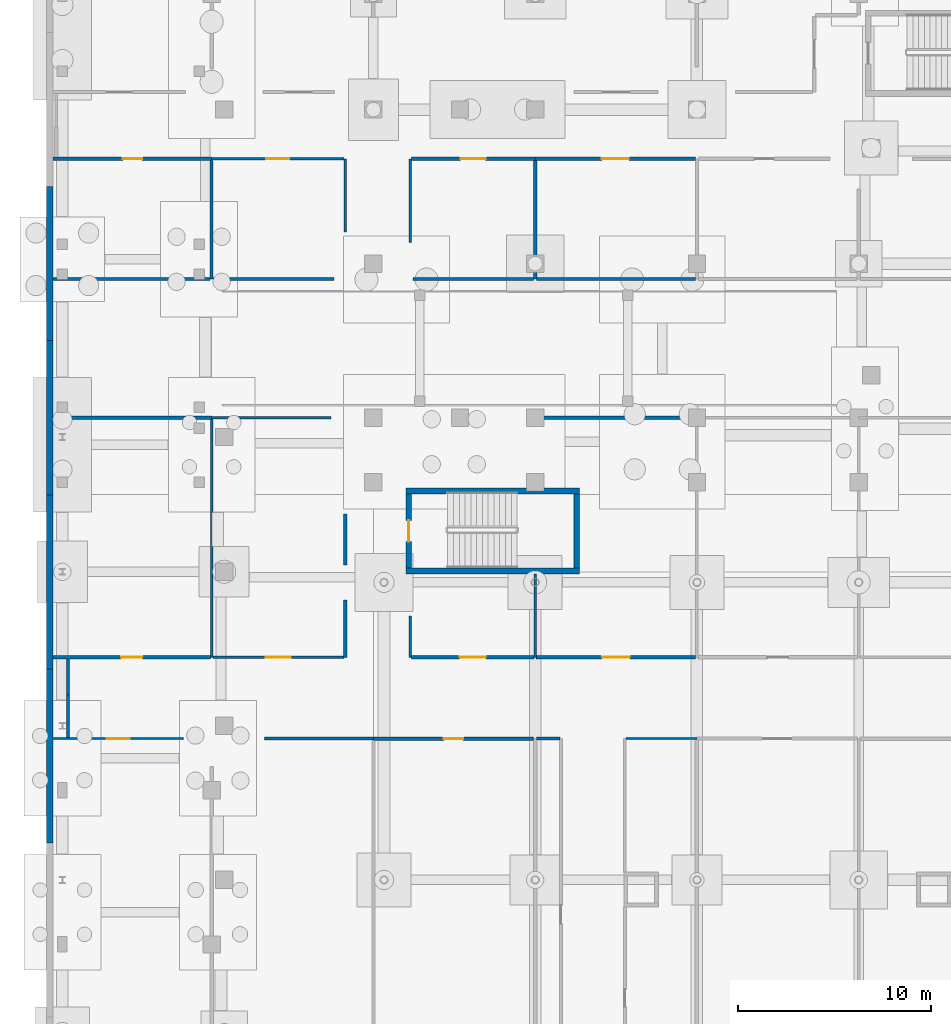
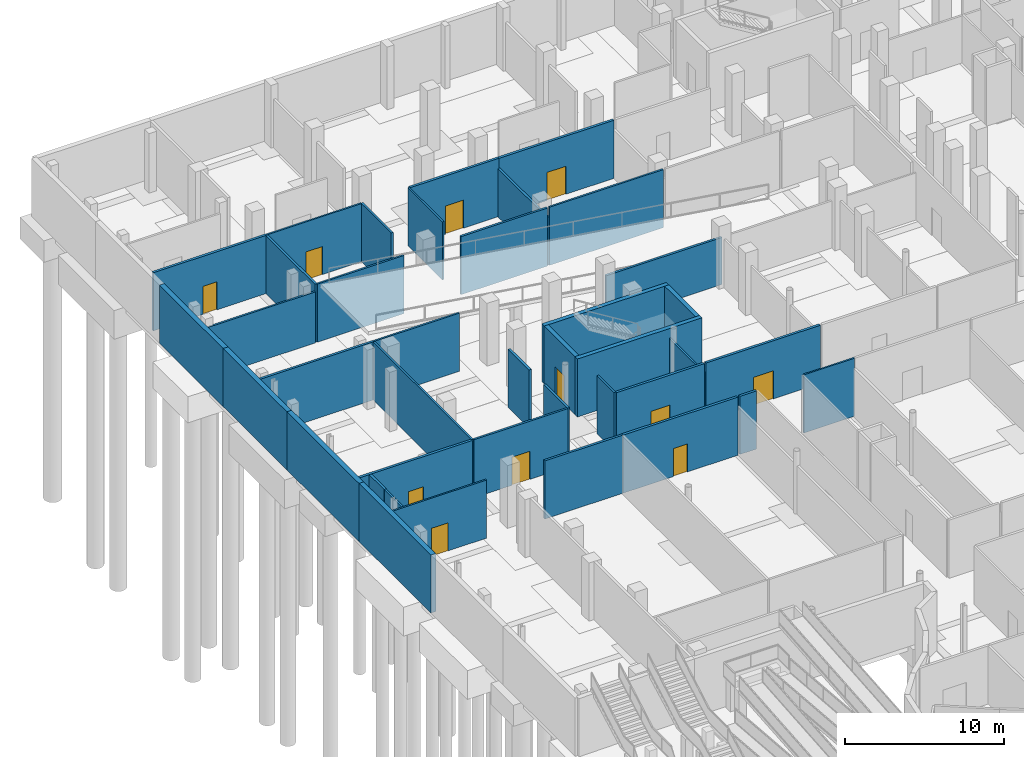
# One storey, part 30 of 45: 39 walls, 11 doors, 11 openings.
"""IFC4 building model written with IfcOpenShell, lengths in metres."""

from ifc_helpers import new_model, si_unit, direction, frame, frame_2d, origin, place, context, subcontext, project, spatial, rectangle, extrude, material, layer, layer_set, type_object, element, fill, save


model = new_model("IFC4")

# Units and contexts
model_context = context("Model", 3, precision=1e-05, world=origin(), true_north=direction((0.0, 1.0)))
body_context = subcontext(model_context, "Body", "Model", "MODEL_VIEW")
ifc_project = project(units=[si_unit("LENGTHUNIT", "METRE"), si_unit("AREAUNIT", "SQUARE_METRE"), si_unit("VOLUMEUNIT", "CUBIC_METRE"), si_unit("PLANEANGLEUNIT", "RADIAN"), si_unit("MASSUNIT", "GRAM", prefix="KILO")], contexts=[model_context])

# Site, building, storey
site_placement = place(None, origin())
site = spatial("IfcSite", under=ifc_project, at=site_placement, CompositionType="ELEMENT")
building_placement = place(site_placement, origin())
building = spatial("IfcBuilding", under=site, at=building_placement, Name="Selatvlak General Hospital", CompositionType="ELEMENT")
storey_placement = place(building_placement, frame((0.0, 0.0, -4.800048828125)))
storey = spatial("IfcBuildingStorey", under=building, at=storey_placement, Name="B1", CompositionType="ELEMENT", Elevation=-4.800048828125)

# Walls
ifc_material_1 = material(Name="Concrete C45/55", Category="concrete")
ifc_layer_1 = layer(ifc_material_1, 0.35009765625, Name="Concrete C45/55", Category="concrete")
ifc_layer_set_1 = layer_set([ifc_layer_1], Name="Concrete C45/55")
wall_type_1 = type_object("IfcWallType", Name="WALL-EW-05", PredefinedType="SHEAR", material=ifc_layer_set_1)
wall_1_placement = place(storey_placement, frame((6.0, 69.924072265625, 0.0), z_axis=(0.0, 0.0, 1.0), x_axis=(0.0, 1.0, 0.0)))
element("IfcWall", 1, at=wall_1_placement, inside=storey, type_object=wall_type_1, Name="B1 retaining wall 0003", PredefinedType="SHEAR", context=body_context, shape_type="SweptSolid", body=[
    extrude(rectangle(XDim=9.037841796875, YDim=0.35009765625, at=frame_2d((4.51904296875, 0.0))), origin(), (0.0, 0.0, 1.0), 4.449951171875),
])
wall_2_placement = place(storey_placement, frame((6.0, 78.9619140625, 0.0), z_axis=(0.0, 0.0, 1.0), x_axis=(0.0, 1.0, 0.0)))
element("IfcWall", 2, at=wall_2_placement, inside=storey, type_object=wall_type_1, Name="B1 retaining wall 0004", PredefinedType="SHEAR", context=body_context, shape_type="SweptSolid", body=[
    extrude(rectangle(XDim=9.037109375, YDim=0.35009765625, at=frame_2d((4.5185546875, 0.0))), origin(), (0.0, 0.0, 1.0), 4.449951171875),
])
for number, where, z_axis, x_axis, name in (
    (3, (6.0, 87.9990234375, 0.0), (0.0, 0.0, 1.0), (0.0, 1.0, 0.0), "B1 retaining wall 0005"),
    (4, (6.0, 95.9990234375, 0.0), (0.0, 0.0, 1.0), (0.0, 1.0, 0.0), "B1 retaining wall 0006"),
):
    element("IfcWall", number, at=place(storey_placement, frame(where, z_axis=z_axis, x_axis=x_axis)), inside=storey, type_object=wall_type_1, Name=name, PredefinedType="SHEAR", context=body_context, shape_type="SweptSolid", body=[
        extrude(rectangle(XDim=8.0, YDim=0.35009765625, at=frame_2d((4.0, 0.0))), origin(), (0.0, 0.0, 1.0), 4.449951171875),
    ])

# Wall, opening, door
ifc_material_2 = material(Name="Acoustic gypsum stud partition")
ifc_layer_2 = layer(ifc_material_2, 0.179931640625, Name="Acoustic gypsum stud partition")
ifc_layer_set_2 = layer_set([ifc_layer_2], Name="Acoustic gypsum stud partition")
wall_type_2 = type_object("IfcWallType", Name="WALL-PT-01", PredefinedType="PARTITIONING", material=ifc_layer_set_2)
wall_3_placement = place(storey_placement, frame((22.800048828125, 75.340087890625, 0.0), z_axis=(0.0, 0.0, 1.0), x_axis=(1.0, 0.0, 0.0)))
wall_3 = element("IfcWall", 5, at=wall_3_placement, inside=storey, type_object=wall_type_2, Name="B1 clinical partition PT-B1-0039", PredefinedType="PARTITIONING", context=body_context, shape_type="SweptSolid", body=[
    extrude(rectangle(XDim=8.322021484375, YDim=0.179931640625, at=frame_2d((4.1611328125, 0.0))), origin(), (0.0, 0.0, 1.0), 4.449951171875),
])
opening_1_placement = place(wall_3_placement, frame((3.660888671875, 0.0, 0.0)))
opening_1 = element("IfcOpeningElement", 6, at=opening_1_placement, cuts=wall_3, Name="Opening D-21", PredefinedType="OPENING", context=body_context, shape_type="SweptSolid", body=[
    extrude(rectangle(XDim=1.0, YDim=2.14990234375, at=frame_2d((0.5, 1.074951171875))), frame((0.0, 0.099853515625, 0.0), z_axis=(0.0, -1.0, 0.0), x_axis=(1.0, 0.0, 0.0)), (0.0, 0.0, 1.0), 0.199951171875),
])
ifc_material_3 = material(Name="Laboratory fire door")
door_type_1 = type_object("IfcDoorType", Name="DOOR-D-21", OperationType="NOTDEFINED", PredefinedType="DOOR", material=ifc_material_3)
door_1_placement = place(opening_1_placement, origin())
door_1 = element("IfcDoor", 7, at=door_1_placement, inside=storey, type_object=door_type_1, Name="B1 Central Chiller Plant 04 door", OperationType="SINGLE_SWING_RIGHT", OverallHeight=2.14990234375, OverallWidth=1.0, PredefinedType="DOOR", context=body_context, shape_type="SweptSolid", body=[
    extrude(rectangle(XDim=1.0, YDim=2.14990234375, at=frame_2d((0.5, 1.074951171875))), frame((0.0, 0.02490234375, 0.0), z_axis=(0.0, -1.0, 0.0), x_axis=(1.0, 0.0, 0.0)), (0.0, 0.0, 1.0), 0.050048828125),
])
fill(opening_1, door_1)

wall_4_placement = place(storey_placement, frame((6.172119140625, 105.43994140625, 0.0), z_axis=(0.0, 0.0, 1.0), x_axis=(1.0, 0.0, 0.0)))
wall_4 = element("IfcWall", 8, at=wall_4_placement, inside=storey, type_object=wall_type_2, Name="B1 clinical partition PT-B1-0219", PredefinedType="PARTITIONING", context=body_context, shape_type="SweptSolid", body=[
    extrude(rectangle(XDim=8.227783203125, YDim=0.179931640625, at=frame_2d((4.11376953125, 0.0))), origin(), (0.0, 0.0, 1.0), 4.449951171875),
])
opening_2_placement = place(wall_4_placement, frame((3.614013671875, 0.0, 0.0)))
opening_2 = element("IfcOpeningElement", 9, at=opening_2_placement, cuts=wall_4, Name="Opening D-21", PredefinedType="OPENING", context=body_context, shape_type="SweptSolid", body=[
    extrude(rectangle(XDim=1.0, YDim=2.14990234375, at=frame_2d((0.5, 1.074951171875))), frame((0.0, 0.099853515625, 0.0), z_axis=(0.0, -1.0, 0.0), x_axis=(1.0, 0.0, 0.0)), (0.0, 0.0, 1.0), 0.199951171875),
])
door_2_placement = place(opening_2_placement, origin())
door_2 = element("IfcDoor", 10, at=door_2_placement, inside=storey, type_object=door_type_1, Name="B1 Standby Generator Plant 45 door", OperationType="SINGLE_SWING_RIGHT", OverallHeight=2.14990234375, OverallWidth=1.0, PredefinedType="DOOR", context=body_context, shape_type="SweptSolid", body=[
    extrude(rectangle(XDim=1.0, YDim=2.14990234375, at=frame_2d((0.5, 1.074951171875))), frame((0.0, 0.02490234375, 0.0), z_axis=(0.0, -1.0, 0.0), x_axis=(1.0, 0.0, 0.0)), (0.0, 0.0, 1.0), 0.050048828125),
])
fill(opening_2, door_2)

wall_5_placement = place(storey_placement, frame((14.3369140625, 79.56005859375, 0.0), z_axis=(0.0, 0.0, 1.0), x_axis=(-1.0, 0.0, 0.0)))
wall_5 = element("IfcWall", 11, at=wall_5_placement, inside=storey, type_object=wall_type_2, Name="B1 clinical partition PT-B1-0225", PredefinedType="PARTITIONING", context=body_context, shape_type="SweptSolid", body=[
    extrude(rectangle(XDim=8.164794921875, YDim=0.179931640625, at=frame_2d((4.08251953125, 0.0))), origin(), (0.0, 0.0, 1.0), 4.449951171875),
])
opening_3_placement = place(wall_5_placement, frame((3.531982421875, 0.0, 0.0)))
opening_3 = element("IfcOpeningElement", 12, at=opening_3_placement, cuts=wall_5, Name="Opening D-22", PredefinedType="OPENING", context=body_context, shape_type="SweptSolid", body=[
    extrude(rectangle(XDim=1.10009765625, YDim=2.14990234375, at=frame_2d((0.550048828125, 1.074951171875))), frame((0.0, 0.099853515625, 0.0), z_axis=(0.0, -1.0, 0.0), x_axis=(1.0, 0.0, 0.0)), (0.0, 0.0, 1.0), 0.199951171875),
])
ifc_material_4 = material(Name="Pharmacy security fire door")
door_type_2 = type_object("IfcDoorType", Name="DOOR-D-22", OperationType="NOTDEFINED", PredefinedType="DOOR", material=ifc_material_4)
door_3_placement = place(opening_3_placement, origin())
door_3 = element("IfcDoor", 13, at=door_3_placement, inside=storey, type_object=door_type_2, Name="B1 Medical Gas Manifold Plant 46 door", OperationType="SINGLE_SWING_LEFT", OverallHeight=2.14990234375, OverallWidth=1.10009765625, PredefinedType="DOOR", context=body_context, shape_type="SweptSolid", body=[
    extrude(rectangle(XDim=1.10009765625, YDim=2.14990234375, at=frame_2d((0.550048828125, 1.074951171875))), frame((0.0, 0.02490234375, 0.0), z_axis=(0.0, -1.0, 0.0), x_axis=(1.0, 0.0, 0.0)), (0.0, 0.0, 1.0), 0.050048828125),
])
fill(opening_3, door_3)

# Wall
wall_6_placement = place(storey_placement, frame((21.340087890625, 86.993896484375, 0.0), z_axis=(0.0, 0.0, 1.0), x_axis=(0.0, -1.0, 0.0)))
element("IfcWall", 14, at=wall_6_placement, inside=storey, type_object=wall_type_2, Name="B1 clinical partition PT-B1-0230", PredefinedType="PARTITIONING", context=body_context, shape_type="SweptSolid", body=[
    extrude(rectangle(XDim=2.630859375, YDim=0.179931640625, at=frame_2d((1.3154296875, 0.0))), origin(), (0.0, 0.0, 1.0), 4.449951171875),
])

# Wall, opening, door
wall_7_placement = place(storey_placement, frame((24.76611328125, 105.43994140625, 0.0), z_axis=(0.0, 0.0, 1.0), x_axis=(1.0, 0.0, 0.0)))
wall_7 = element("IfcWall", 15, at=wall_7_placement, inside=storey, type_object=wall_type_2, Name="B1 clinical partition PT-B1-0235", PredefinedType="PARTITIONING", context=body_context, shape_type="SweptSolid", body=[
    extrude(rectangle(XDim=6.433837890625, YDim=0.179931640625, at=frame_2d((3.216796875, 0.0))), origin(), (0.0, 0.0, 1.0), 4.449951171875),
])
opening_4_placement = place(wall_7_placement, frame((2.56689453125, 0.0, 0.0)))
opening_4 = element("IfcOpeningElement", 16, at=opening_4_placement, cuts=wall_7, Name="Opening D-09", PredefinedType="OPENING", context=body_context, shape_type="SweptSolid", body=[
    extrude(rectangle(XDim=1.300048828125, YDim=2.14990234375, at=frame_2d((0.64990234375, 1.074951171875))), frame((0.0, 0.099853515625, 0.0), z_axis=(0.0, -1.0, 0.0), x_axis=(1.0, 0.0, 0.0)), (0.0, 0.0, 1.0), 0.199951171875),
])
ifc_material_5 = material(Name="Outpatient procedure door")
door_type_3 = type_object("IfcDoorType", Name="DOOR-D-09", OperationType="NOTDEFINED", PredefinedType="DOOR", material=ifc_material_5)
door_4_placement = place(opening_4_placement, origin())
door_4 = element("IfcDoor", 17, at=door_4_placement, inside=storey, type_object=door_type_3, Name="B1 Central Sterile Supply Department 49 door", OperationType="SINGLE_SWING_RIGHT", OverallHeight=2.14990234375, OverallWidth=1.300048828125, PredefinedType="DOOR", context=body_context, shape_type="SweptSolid", body=[
    extrude(rectangle(XDim=1.300048828125, YDim=2.14990234375, at=frame_2d((0.64990234375, 1.074951171875))), frame((0.0, 0.02490234375, 0.0), z_axis=(0.0, -1.0, 0.0), x_axis=(1.0, 0.0, 0.0)), (0.0, 0.0, 1.0), 0.050048828125),
])
fill(opening_4, door_4)

wall_8_placement = place(storey_placement, frame((31.14404296875, 79.56005859375, 0.0), z_axis=(0.0, 0.0, 1.0), x_axis=(-1.0, 0.0, 0.0)))
wall_8 = element("IfcWall", 18, at=wall_8_placement, inside=storey, type_object=wall_type_2, Name="B1 clinical partition PT-B1-0240", PredefinedType="PARTITIONING", context=body_context, shape_type="SweptSolid", body=[
    extrude(rectangle(XDim=6.3701171875, YDim=0.179931640625, at=frame_2d((3.18505859375, 0.0))), origin(), (0.0, 0.0, 1.0), 4.449951171875),
])
opening_5_placement = place(wall_8_placement, frame((2.510009765625, 0.0, 0.0)))
opening_5 = element("IfcOpeningElement", 19, at=opening_5_placement, cuts=wall_8, Name="Opening D-10", PredefinedType="OPENING", context=body_context, shape_type="SweptSolid", body=[
    extrude(rectangle(XDim=1.35009765625, YDim=2.14990234375, at=frame_2d((0.675048828125, 1.074951171875))), frame((0.0, 0.099853515625, 0.0), z_axis=(0.0, -1.0, 0.0), x_axis=(1.0, 0.0, 0.0)), (0.0, 0.0, 1.0), 0.199951171875),
])
ifc_material_6 = material(Name="Single patient bed door")
door_type_4 = type_object("IfcDoorType", Name="DOOR-D-10", OperationType="NOTDEFINED", PredefinedType="DOOR", material=ifc_material_6)
door_5_placement = place(opening_5_placement, origin())
door_5 = element("IfcDoor", 20, at=door_5_placement, inside=storey, type_object=door_type_4, Name="B1 Hospital Dietary Kitchen 50 door", OperationType="SINGLE_SWING_LEFT", OverallHeight=2.14990234375, OverallWidth=1.35009765625, PredefinedType="DOOR", context=body_context, shape_type="SweptSolid", body=[
    extrude(rectangle(XDim=1.35009765625, YDim=2.14990234375, at=frame_2d((0.675048828125, 1.074951171875))), frame((0.0, 0.02490234375, 0.0), z_axis=(0.0, -1.0, 0.0), x_axis=(1.0, 0.0, 0.0)), (0.0, 0.0, 1.0), 0.050048828125),
])
fill(opening_5, door_5)

wall_9_placement = place(storey_placement, frame((31.199951171875, 105.43994140625, 0.0), z_axis=(0.0, 0.0, 1.0), x_axis=(1.0, 0.0, 0.0)))
wall_9 = element("IfcWall", 21, at=wall_9_placement, inside=storey, type_object=wall_type_2, Name="B1 clinical partition PT-B1-0246", PredefinedType="PARTITIONING", context=body_context, shape_type="SweptSolid", body=[
    extrude(rectangle(XDim=8.322021484375, YDim=0.179931640625, at=frame_2d((4.1611328125, 0.0))), origin(), (0.0, 0.0, 1.0), 4.449951171875),
])
opening_6_placement = place(wall_9_placement, frame((3.4609375, 0.0, 0.0)))
opening_6 = element("IfcOpeningElement", 22, at=opening_6_placement, cuts=wall_9, Name="Opening D-11", PredefinedType="OPENING", context=body_context, shape_type="SweptSolid", body=[
    extrude(rectangle(XDim=1.39990234375, YDim=2.14990234375, at=frame_2d((0.699951171875, 1.074951171875))), frame((0.0, 0.099853515625, 0.0), z_axis=(0.0, -1.0, 0.0), x_axis=(1.0, 0.0, 0.0)), (0.0, 0.0, 1.0), 0.199951171875),
])
ifc_material_7 = material(Name="Inpatient suite bed door")
door_type_5 = type_object("IfcDoorType", Name="DOOR-D-11", OperationType="NOTDEFINED", PredefinedType="DOOR", material=ifc_material_7)
door_6_placement = place(opening_6_placement, origin())
door_6 = element("IfcDoor", 23, at=door_6_placement, inside=storey, type_object=door_type_5, Name="B1 Central Chiller Plant 52 door", OperationType="SINGLE_SWING_RIGHT", OverallHeight=2.14990234375, OverallWidth=1.39990234375, PredefinedType="DOOR", context=body_context, shape_type="SweptSolid", body=[
    extrude(rectangle(XDim=1.39990234375, YDim=2.14990234375, at=frame_2d((0.699951171875, 1.074951171875))), frame((0.0, 0.02490234375, 0.0), z_axis=(0.0, -1.0, 0.0), x_axis=(1.0, 0.0, 0.0)), (0.0, 0.0, 1.0), 0.050048828125),
])
fill(opening_6, door_6)

wall_10_placement = place(storey_placement, frame((39.537109375, 79.56005859375, 0.0), z_axis=(0.0, 0.0, 1.0), x_axis=(-1.0, 0.0, 0.0)))
wall_10 = element("IfcWall", 24, at=wall_10_placement, inside=storey, type_object=wall_type_2, Name="B1 clinical partition PT-B1-0249", PredefinedType="PARTITIONING", context=body_context, shape_type="SweptSolid", body=[
    extrude(rectangle(XDim=8.281005859375, YDim=0.179931640625, at=frame_2d((4.140625, 0.0))), origin(), (0.0, 0.0, 1.0), 4.449951171875),
])
opening_7_placement = place(wall_10_placement, frame((3.4150390625, 0.0, 0.0)))
opening_7 = element("IfcOpeningElement", 25, at=opening_7_placement, cuts=wall_10, Name="Opening D-12", PredefinedType="OPENING", context=body_context, shape_type="SweptSolid", body=[
    extrude(rectangle(XDim=1.449951171875, YDim=2.14990234375, at=frame_2d((0.72509765625, 1.074951171875))), frame((0.0, 0.099853515625, 0.0), z_axis=(0.0, -1.0, 0.0), x_axis=(1.0, 0.0, 0.0)), (0.0, 0.0, 1.0), 0.199951171875),
])
ifc_material_8 = material(Name="Isolation anteroom door")
door_type_6 = type_object("IfcDoorType", Name="DOOR-D-12", OperationType="NOTDEFINED", PredefinedType="DOOR", material=ifc_material_8)
door_7_placement = place(opening_7_placement, origin())
door_7 = element("IfcDoor", 26, at=door_7_placement, inside=storey, type_object=door_type_6, Name="B1 Standby Generator Plant 53 door", OperationType="SINGLE_SWING_LEFT", OverallHeight=2.14990234375, OverallWidth=1.449951171875, PredefinedType="DOOR", context=body_context, shape_type="SweptSolid", body=[
    extrude(rectangle(XDim=1.449951171875, YDim=2.14990234375, at=frame_2d((0.72509765625, 1.074951171875))), frame((0.0, 0.02490234375, 0.0), z_axis=(0.0, -1.0, 0.0), x_axis=(1.0, 0.0, 0.0)), (0.0, 0.0, 1.0), 0.050048828125),
])
fill(opening_7, door_7)

# Walls
ifc_layer_3 = layer(ifc_material_2, 0.1650390625, Name="Acoustic gypsum stud partition")
ifc_layer_set_3 = layer_set([ifc_layer_3], Name="Acoustic gypsum stud partition")
wall_type_3 = type_object("IfcWallType", Name="WALL-PT-02", PredefinedType="PARTITIONING", material=ifc_layer_set_3)
wall_11_placement = place(storey_placement, frame((17.157958984375, 75.340087890625, 0.0), z_axis=(0.0, 0.0, 1.0), x_axis=(1.0, 0.0, 0.0)))
element("IfcWall", 27, at=wall_11_placement, inside=storey, type_object=wall_type_3, Name="B1 clinical partition PT-B1-0026", PredefinedType="PARTITIONING", context=body_context, shape_type="SweptSolid", body=[
    extrude(rectangle(XDim=5.64208984375, YDim=0.1650390625, at=frame_2d((2.821044921875, 0.0))), origin(), (0.0, 0.0, 1.0), 4.449951171875),
])
wall_12_placement = place(storey_placement, frame((31.278076171875, 75.340087890625, 0.0), z_axis=(0.0, 0.0, 1.0), x_axis=(1.0, 0.0, 0.0)))
element("IfcWall", 28, at=wall_12_placement, inside=storey, type_object=wall_type_3, Name="B1 clinical partition PT-B1-0046", PredefinedType="PARTITIONING", context=body_context, shape_type="SweptSolid", body=[
    extrude(rectangle(XDim=1.198974609375, YDim=0.1650390625, at=frame_2d((0.599609375, 0.0))), origin(), (0.0, 0.0, 1.0), 4.449951171875),
])
wall_13_placement = place(storey_placement, frame((14.39990234375, 105.35400390625, 0.0), z_axis=(0.0, 0.0, 1.0), x_axis=(0.0, -1.0, 0.0)))
element("IfcWall", 29, at=wall_13_placement, inside=storey, type_object=wall_type_3, Name="B1 clinical partition PT-B1-0220", PredefinedType="PARTITIONING", context=body_context, shape_type="SweptSolid", body=[
    extrude(rectangle(XDim=6.154052734375, YDim=0.1650390625, at=frame_2d((3.0771484375, 0.0))), origin(), (0.0, 0.0, 1.0), 4.449951171875),
])
wall_14_placement = place(storey_placement, frame((6.172119140625, 92.0, 0.0), z_axis=(0.0, 0.0, 1.0), x_axis=(1.0, 0.0, 0.0)))
element("IfcWall", 30, at=wall_14_placement, inside=storey, type_object=wall_type_3, Name="B1 clinical partition PT-B1-0223", PredefinedType="PARTITIONING", context=body_context, shape_type="SweptSolid", body=[
    extrude(rectangle(XDim=8.227783203125, YDim=0.1650390625, at=frame_2d((4.11376953125, 0.0))), origin(), (0.0, 0.0, 1.0), 4.449951171875),
])
wall_15_placement = place(storey_placement, frame((6.93994140625, 79.47412109375, 0.0), z_axis=(0.0, 0.0, 1.0), x_axis=(0.0, -1.0, 0.0)))
element("IfcWall", 31, at=wall_15_placement, inside=storey, type_object=wall_type_3, Name="B1 clinical partition PT-B1-0226", PredefinedType="PARTITIONING", context=body_context, shape_type="SweptSolid", body=[
    extrude(rectangle(XDim=1.8740234375, YDim=0.1650390625, at=frame_2d((0.93701171875, 0.0))), origin(), (0.0, 0.0, 1.0), 4.449951171875),
])
wall_16_placement = place(storey_placement, frame((21.340087890625, 82.537109375, 0.0), z_axis=(0.0, 0.0, 1.0), x_axis=(0.0, -1.0, 0.0)))
element("IfcWall", 32, at=wall_16_placement, inside=storey, type_object=wall_type_3, Name="B1 clinical partition PT-B1-0231", PredefinedType="PARTITIONING", context=body_context, shape_type="SweptSolid", body=[
    extrude(rectangle(XDim=2.97705078125, YDim=0.1650390625, at=frame_2d((1.488525390625, 0.0))), origin(), (0.0, 0.0, 1.0), 4.449951171875),
])
wall_17_placement = place(storey_placement, frame((31.199951171875, 105.35400390625, 0.0), z_axis=(0.0, 0.0, 1.0), x_axis=(0.0, -1.0, 0.0)))
element("IfcWall", 33, at=wall_17_placement, inside=storey, type_object=wall_type_3, Name="B1 clinical partition PT-B1-0236", PredefinedType="PARTITIONING", context=body_context, shape_type="SweptSolid", body=[
    extrude(rectangle(XDim=6.154052734375, YDim=0.1650390625, at=frame_2d((3.0771484375, 0.0))), origin(), (0.0, 0.0, 1.0), 3.699951171875),
])
wall_18_placement = place(storey_placement, frame((31.199951171875, 92.0, 0.0), z_axis=(0.0, 0.0, 1.0), x_axis=(1.0, 0.0, 0.0)))
element("IfcWall", 34, at=wall_18_placement, inside=storey, type_object=wall_type_3, Name="B1 clinical partition PT-B1-0247", PredefinedType="PARTITIONING", context=body_context, shape_type="SweptSolid", body=[
    extrude(rectangle(XDim=8.400146484375, YDim=0.1650390625, at=frame_2d((4.2001953125, 0.0))), origin(), (0.0, 0.0, 1.0), 3.60009765625),
])
ifc_layer_4 = layer(ifc_material_2, 0.14990234375, Name="Acoustic gypsum stud partition")
ifc_layer_set_4 = layer_set([ifc_layer_4], Name="Acoustic gypsum stud partition")
wall_type_4 = type_object("IfcWallType", Name="WALL-PT-03", PredefinedType="PARTITIONING", material=ifc_layer_set_4)
wall_19_placement = place(storey_placement, frame((21.340087890625, 105.43994140625, 0.0), z_axis=(0.0, 0.0, 1.0), x_axis=(0.0, -1.0, 0.0)))
element("IfcWall", 35, at=wall_19_placement, inside=storey, type_object=wall_type_4, Name="B1 clinical partition PT-B1-0227", PredefinedType="PARTITIONING", context=body_context, shape_type="SweptSolid", body=[
    extrude(rectangle(XDim=3.783935546875, YDim=0.14990234375, at=frame_2d((1.89208984375, 0.0))), origin(), (0.0, 0.0, 1.0), 4.449951171875),
])

# Wall, opening, door
wall_20_placement = place(storey_placement, frame((21.261962890625, 79.56005859375, 0.0), z_axis=(0.0, 0.0, 1.0), x_axis=(-1.0, 0.0, 0.0)))
wall_20 = element("IfcWall", 36, at=wall_20_placement, inside=storey, type_object=wall_type_4, Name="B1 clinical partition PT-B1-0232", PredefinedType="PARTITIONING", context=body_context, shape_type="SweptSolid", body=[
    extrude(rectangle(XDim=6.799072265625, YDim=0.14990234375, at=frame_2d((3.3994140625, 0.0))), origin(), (0.0, 0.0, 1.0), 4.449951171875),
])
opening_8_placement = place(wall_20_placement, frame((2.75, 0.0, 0.0)))
opening_8 = element("IfcOpeningElement", 37, at=opening_8_placement, cuts=wall_20, Name="Opening D-24", PredefinedType="OPENING", context=body_context, shape_type="SweptSolid", body=[
    extrude(rectangle(XDim=1.300048828125, YDim=2.14990234375, at=frame_2d((0.64990234375, 1.074951171875))), frame((0.0, 0.0849609375, 0.0), z_axis=(0.0, -1.0, 0.0), x_axis=(1.0, 0.0, 0.0)), (0.0, 0.0, 1.0), 0.169921875),
])
ifc_material_9 = material(Name="Oncology bay door")
door_type_7 = type_object("IfcDoorType", Name="DOOR-D-24", OperationType="NOTDEFINED", PredefinedType="DOOR", material=ifc_material_9)
door_8_placement = place(opening_8_placement, origin())
door_8 = element("IfcDoor", 38, at=door_8_placement, inside=storey, type_object=door_type_7, Name="B1 Hospital Linen Laundry 48 door", OperationType="SINGLE_SWING_LEFT", OverallHeight=2.14990234375, OverallWidth=1.300048828125, PredefinedType="DOOR", context=body_context, shape_type="SweptSolid", body=[
    extrude(rectangle(XDim=1.300048828125, YDim=2.14990234375, at=frame_2d((0.64990234375, 1.074951171875))), frame((0.0, 0.02490234375, 0.0), z_axis=(0.0, -1.0, 0.0), x_axis=(1.0, 0.0, 0.0)), (0.0, 0.0, 1.0), 0.050048828125),
])
fill(opening_8, door_8)

# Walls
wall_21_placement = place(storey_placement, frame((31.1220703125, 99.199951171875, 0.0), z_axis=(0.0, 0.0, 1.0), x_axis=(-1.0, 0.0, 0.0)))
element("IfcWall", 39, at=wall_21_placement, inside=storey, type_object=wall_type_4, Name="B1 clinical partition PT-B1-0237", PredefinedType="PARTITIONING", context=body_context, shape_type="SweptSolid", body=[
    extrude(rectangle(XDim=6.26416015625, YDim=0.14990234375, at=frame_2d((3.132080078125, 0.0))), origin(), (0.0, 0.0, 1.0), 4.449951171875),
])
ifc_material_10 = material(Name="Moisture-resistant clinical partition")
ifc_layer_5 = layer(ifc_material_10, 0.135009765625, Name="Moisture-resistant clinical partition")
ifc_layer_set_5 = layer_set([ifc_layer_5], Name="Moisture-resistant clinical partition")
wall_type_5 = type_object("IfcWallType", Name="WALL-PT-04", PredefinedType="PARTITIONING", material=ifc_layer_set_5)
wall_22_placement = place(storey_placement, frame((6.93994140625, 77.60009765625, 0.0), z_axis=(0.0, 0.0, 1.0), x_axis=(0.0, -1.0, 0.0)))
element("IfcWall", 40, at=wall_22_placement, inside=storey, type_object=wall_type_5, Name="B1 clinical partition PT-B1-0023", PredefinedType="PARTITIONING", context=body_context, shape_type="SweptSolid", body=[
    extrude(rectangle(XDim=2.2001953125, YDim=0.135009765625, at=frame_2d((1.10009765625, 0.0))), origin(), (0.0, 0.0, 1.0), 4.449951171875),
])
wall_23_placement = place(storey_placement, frame((14.322021484375, 99.199951171875, 0.0), z_axis=(0.0, 0.0, 1.0), x_axis=(-1.0, 0.0, 0.0)))
element("IfcWall", 41, at=wall_23_placement, inside=storey, type_object=wall_type_5, Name="B1 clinical partition PT-B1-0221", PredefinedType="PARTITIONING", context=body_context, shape_type="SweptSolid", body=[
    extrude(rectangle(XDim=8.14990234375, YDim=0.135009765625, at=frame_2d((4.074951171875, 0.0))), origin(), (0.0, 0.0, 1.0), 3.905029296875),
])
wall_24_placement = place(storey_placement, frame((14.39990234375, 91.9208984375, 0.0), z_axis=(0.0, 0.0, 1.0), x_axis=(0.0, -1.0, 0.0)))
element("IfcWall", 42, at=wall_24_placement, inside=storey, type_object=wall_type_5, Name="B1 clinical partition PT-B1-0224", PredefinedType="PARTITIONING", context=body_context, shape_type="SweptSolid", body=[
    extrude(rectangle(XDim=12.36083984375, YDim=0.135009765625, at=frame_2d((6.180419921875, 0.0))), origin(), (0.0, 0.0, 1.0), 4.449951171875),
])
wall_25_placement = place(storey_placement, frame((20.741943359375, 99.199951171875, 0.0), z_axis=(0.0, 0.0, 1.0), x_axis=(-1.0, 0.0, 0.0)))
element("IfcWall", 43, at=wall_25_placement, inside=storey, type_object=wall_type_5, Name="B1 clinical partition PT-B1-0228", PredefinedType="PARTITIONING", context=body_context, shape_type="SweptSolid", body=[
    extrude(rectangle(XDim=6.262939453125, YDim=0.135009765625, at=frame_2d((3.13134765625, 0.0))), origin(), (0.0, 0.0, 1.0), 4.449951171875),
])
wall_26_placement = place(storey_placement, frame((14.39990234375, 92.0, 0.0), z_axis=(0.0, 0.0, 1.0), x_axis=(1.0, 0.0, 0.0)))
element("IfcWall", 44, at=wall_26_placement, inside=storey, type_object=wall_type_5, Name="B1 clinical partition PT-B1-0233", PredefinedType="PARTITIONING", context=body_context, shape_type="SweptSolid", body=[
    extrude(rectangle(XDim=6.190185546875, YDim=0.135009765625, at=frame_2d((3.09521484375, 0.0))), origin(), (0.0, 0.0, 1.0), 4.449951171875),
])
wall_27_placement = place(storey_placement, frame((24.7099609375, 79.56005859375, 0.0), z_axis=(0.0, 0.0, 1.0), x_axis=(0.0, 1.0, 0.0)))
element("IfcWall", 45, at=wall_27_placement, inside=storey, type_object=wall_type_5, Name="B1 clinical partition PT-B1-0238", PredefinedType="PARTITIONING", context=body_context, shape_type="SweptSolid", body=[
    extrude(rectangle(XDim=2.14990234375, YDim=0.135009765625, at=frame_2d((1.074951171875, 0.0))), origin(), (0.0, 0.0, 1.0), 4.449951171875),
])
wall_28_placement = place(storey_placement, frame((39.52197265625, 99.199951171875, 0.0), z_axis=(0.0, 0.0, 1.0), x_axis=(-1.0, 0.0, 0.0)))
element("IfcWall", 46, at=wall_28_placement, inside=storey, type_object=wall_type_5, Name="B1 clinical partition PT-B1-0245", PredefinedType="PARTITIONING", context=body_context, shape_type="SweptSolid", body=[
    extrude(rectangle(XDim=8.243896484375, YDim=0.135009765625, at=frame_2d((4.1220703125, 0.0))), origin(), (0.0, 0.0, 1.0), 4.449951171875),
])

# Wall, opening, door
ifc_layer_6 = layer(ifc_material_10, 0.1201171875, Name="Moisture-resistant clinical partition")
ifc_layer_set_6 = layer_set([ifc_layer_6], Name="Moisture-resistant clinical partition")
wall_type_6 = type_object("IfcWallType", Name="WALL-PT-05", PredefinedType="PARTITIONING", material=ifc_layer_set_6)
wall_29_placement = place(storey_placement, frame((6.172119140625, 75.340087890625, 0.0), z_axis=(0.0, 0.0, 1.0), x_axis=(1.0, 0.0, 0.0)))
wall_29 = element("IfcWall", 47, at=wall_29_placement, inside=storey, type_object=wall_type_6, Name="B1 clinical partition PT-B1-0024", PredefinedType="PARTITIONING", context=body_context, shape_type="SweptSolid", body=[
    extrude(rectangle(XDim=6.769775390625, YDim=0.1201171875, at=frame_2d((3.384765625, 0.0))), origin(), (0.0, 0.0, 1.0), 4.449951171875),
])
opening_9_placement = place(wall_29_placement, frame((2.784912109375, 0.0, 0.0)))
opening_9 = element("IfcOpeningElement", 48, at=opening_9_placement, cuts=wall_29, Name="Opening D-23", PredefinedType="OPENING", context=body_context, shape_type="SweptSolid", body=[
    extrude(rectangle(XDim=1.199951171875, YDim=2.14990234375, at=frame_2d((0.60009765625, 1.074951171875))), frame((0.0, 0.070068359375, 0.0), z_axis=(0.0, -1.0, 0.0), x_axis=(1.0, 0.0, 0.0)), (0.0, 0.0, 1.0), 0.14013671875),
])
ifc_material_11 = material(Name="Endoscopy clinical door")
door_type_8 = type_object("IfcDoorType", Name="DOOR-D-23", OperationType="NOTDEFINED", PredefinedType="DOOR", material=ifc_material_11)
door_9_placement = place(opening_9_placement, origin())
door_9 = element("IfcDoor", 49, at=door_9_placement, inside=storey, type_object=door_type_8, Name="B1 Central Sterile Supply Department 01 door", OperationType="SINGLE_SWING_LEFT", OverallHeight=2.14990234375, OverallWidth=1.199951171875, PredefinedType="DOOR", context=body_context, shape_type="SweptSolid", body=[
    extrude(rectangle(XDim=1.199951171875, YDim=2.14990234375, at=frame_2d((0.60009765625, 1.074951171875))), frame((0.0, 0.02490234375, 0.0), z_axis=(0.0, -1.0, 0.0), x_axis=(1.0, 0.0, 0.0)), (0.0, 0.0, 1.0), 0.050048828125),
])
fill(opening_9, door_9)

# Wall
wall_30_placement = place(storey_placement, frame((35.923095703125, 75.340087890625, 0.0), z_axis=(0.0, 0.0, 1.0), x_axis=(1.0, 0.0, 0.0)))
element("IfcWall", 50, at=wall_30_placement, inside=storey, type_object=wall_type_6, Name="B1 clinical partition PT-B1-0054", PredefinedType="PARTITIONING", context=body_context, shape_type="SweptSolid", body=[
    extrude(rectangle(XDim=3.677001953125, YDim=0.1201171875, at=frame_2d((1.83837890625, 0.0))), origin(), (0.0, 0.0, 1.0), 4.449951171875),
])

# Wall, opening, door
wall_31_placement = place(storey_placement, frame((14.39990234375, 105.43994140625, 0.0), z_axis=(0.0, 0.0, 1.0), x_axis=(1.0, 0.0, 0.0)))
wall_31 = element("IfcWall", 51, at=wall_31_placement, inside=storey, type_object=wall_type_6, Name="B1 clinical partition PT-B1-0229", PredefinedType="PARTITIONING", context=body_context, shape_type="SweptSolid", body=[
    extrude(rectangle(XDim=6.869140625, YDim=0.1201171875, at=frame_2d((3.4345703125, 0.0))), origin(), (0.0, 0.0, 1.0), 4.449951171875),
])
opening_10_placement = place(wall_31_placement, frame((2.833984375, 0.0, 0.0)))
opening_10 = element("IfcOpeningElement", 52, at=opening_10_placement, cuts=wall_31, Name="Opening D-23", PredefinedType="OPENING", context=body_context, shape_type="SweptSolid", body=[
    extrude(rectangle(XDim=1.199951171875, YDim=2.14990234375, at=frame_2d((0.60009765625, 1.074951171875))), frame((0.0, 0.070068359375, 0.0), z_axis=(0.0, -1.0, 0.0), x_axis=(1.0, 0.0, 0.0)), (0.0, 0.0, 1.0), 0.14013671875),
])
door_10_placement = place(opening_10_placement, origin())
door_10 = element("IfcDoor", 53, at=door_10_placement, inside=storey, type_object=door_type_8, Name="B1 Mortuary Cold Suite 47 door", OperationType="SINGLE_SWING_RIGHT", OverallHeight=2.14990234375, OverallWidth=1.199951171875, PredefinedType="DOOR", context=body_context, shape_type="SweptSolid", body=[
    extrude(rectangle(XDim=1.199951171875, YDim=2.14990234375, at=frame_2d((0.60009765625, 1.074951171875))), frame((0.0, 0.02490234375, 0.0), z_axis=(0.0, -1.0, 0.0), x_axis=(1.0, 0.0, 0.0)), (0.0, 0.0, 1.0), 0.050048828125),
])
fill(opening_10, door_10)

# Walls
wall_32_placement = place(storey_placement, frame((24.7099609375, 101.10693359375, 0.0), z_axis=(0.0, 0.0, 1.0), x_axis=(0.0, 1.0, 0.0)))
element("IfcWall", 54, at=wall_32_placement, inside=storey, type_object=wall_type_6, Name="B1 clinical partition PT-B1-0234", PredefinedType="PARTITIONING", context=body_context, shape_type="SweptSolid", body=[
    extrude(rectangle(XDim=4.3330078125, YDim=0.1201171875, at=frame_2d((2.16650390625, 0.0))), origin(), (0.0, 0.0, 1.0), 4.449951171875),
])
wall_33_placement = place(storey_placement, frame((31.199951171875, 83.89306640625, 0.0), z_axis=(0.0, 0.0, 1.0), x_axis=(0.0, -1.0, 0.0)))
element("IfcWall", 55, at=wall_33_placement, inside=storey, type_object=wall_type_6, Name="B1 clinical partition PT-B1-0239", PredefinedType="PARTITIONING", context=body_context, shape_type="SweptSolid", body=[
    extrude(rectangle(XDim=4.3330078125, YDim=0.1201171875, at=frame_2d((2.16650390625, 0.0))), origin(), (0.0, 0.0, 1.0), 3.699951171875),
])
ifc_layer_7 = layer(ifc_material_1, 0.300048828125, Name="Concrete C45/55", Category="concrete")
ifc_layer_set_7 = layer_set([ifc_layer_7], Name="Concrete C45/55")
wall_type_7 = type_object("IfcWallType", Name="WALL-SW-02", PredefinedType="SHEAR", material=ifc_layer_set_7)
wall_34_placement = place(storey_placement, frame((24.489990234375, 84.0400390625, 0.0), z_axis=(0.0, 0.0, 1.0), x_axis=(1.0, 0.0, 0.0)))
element("IfcWall", 56, at=wall_34_placement, inside=storey, type_object=wall_type_7, Name="ST-07 core shear wall B1 S", PredefinedType="SHEAR", context=body_context, shape_type="SweptSolid", body=[
    extrude(rectangle(XDim=9.02001953125, YDim=0.300048828125, at=frame_2d((4.510009765625, 0.0))), origin(), (0.0, 0.0, 1.0), 4.449951171875),
])
wall_35_placement = place(storey_placement, frame((33.360107421875, 84.18994140625, 0.0), z_axis=(0.0, 0.0, 1.0), x_axis=(0.0, 1.0, 0.0)))
element("IfcWall", 57, at=wall_35_placement, inside=storey, type_object=wall_type_7, Name="ST-07 core shear wall B1 E", PredefinedType="SHEAR", context=body_context, shape_type="SweptSolid", body=[
    extrude(rectangle(XDim=3.860107421875, YDim=0.300048828125, at=frame_2d((1.93017578125, 0.0))), origin(), (0.0, 0.0, 1.0), 4.449951171875),
])
wall_36_placement = place(storey_placement, frame((33.510009765625, 88.199951171875, 0.0), z_axis=(0.0, 0.0, 1.0), x_axis=(-1.0, 0.0, 0.0)))
element("IfcWall", 58, at=wall_36_placement, inside=storey, type_object=wall_type_7, Name="ST-07 core shear wall B1 N", PredefinedType="SHEAR", context=body_context, shape_type="SweptSolid", body=[
    extrude(rectangle(XDim=9.02001953125, YDim=0.300048828125, at=frame_2d((4.510009765625, 0.0))), origin(), (0.0, 0.0, 1.0), 4.449951171875),
])

# Wall, opening, door
wall_37_placement = place(storey_placement, frame((24.639892578125, 88.050048828125, 0.0), z_axis=(0.0, 0.0, 1.0), x_axis=(0.0, -1.0, 0.0)))
wall_37 = element("IfcWall", 59, at=wall_37_placement, inside=storey, type_object=wall_type_7, Name="ST-07 core shear wall B1 W", PredefinedType="SHEAR", context=body_context, shape_type="SweptSolid", body=[
    extrude(rectangle(XDim=3.860107421875, YDim=0.300048828125, at=frame_2d((1.93017578125, 0.0))), origin(), (0.0, 0.0, 1.0), 4.449951171875),
])
opening_11_placement = place(wall_37_placement, frame((1.3798828125, 0.0, 0.0)))
opening_11 = element("IfcOpeningElement", 60, at=opening_11_placement, cuts=wall_37, Name="Opening D-05", PredefinedType="OPENING", context=body_context, shape_type="SweptSolid", body=[
    extrude(rectangle(XDim=1.10009765625, YDim=2.14990234375, at=frame_2d((0.550048828125, 1.074951171875))), frame((0.0, 0.159912109375, 0.0), z_axis=(0.0, -1.0, 0.0), x_axis=(1.0, 0.0, 0.0)), (0.0, 0.0, 1.0), 0.320068359375),
])
ifc_material_12 = material(Name="Protected stair fire door")
door_type_9 = type_object("IfcDoorType", Name="DOOR-D-05", OperationType="NOTDEFINED", PredefinedType="DOOR", material=ifc_material_12)
door_11_placement = place(opening_11_placement, origin())
door_11 = element("IfcDoor", 61, at=door_11_placement, inside=storey, type_object=door_type_9, Name="ST-07 protected stair door on B1", OperationType="SINGLE_SWING_RIGHT", OverallHeight=2.14990234375, OverallWidth=1.10009765625, PredefinedType="DOOR", context=body_context, shape_type="SweptSolid", body=[
    extrude(rectangle(XDim=1.10009765625, YDim=2.14990234375, at=frame_2d((0.550048828125, 1.074951171875))), frame((0.0, 0.02490234375, 0.0), z_axis=(0.0, -1.0, 0.0), x_axis=(1.0, 0.0, 0.0)), (0.0, 0.0, 1.0), 0.050048828125),
])
fill(opening_11, door_11)

save(model, "model.ifc")
